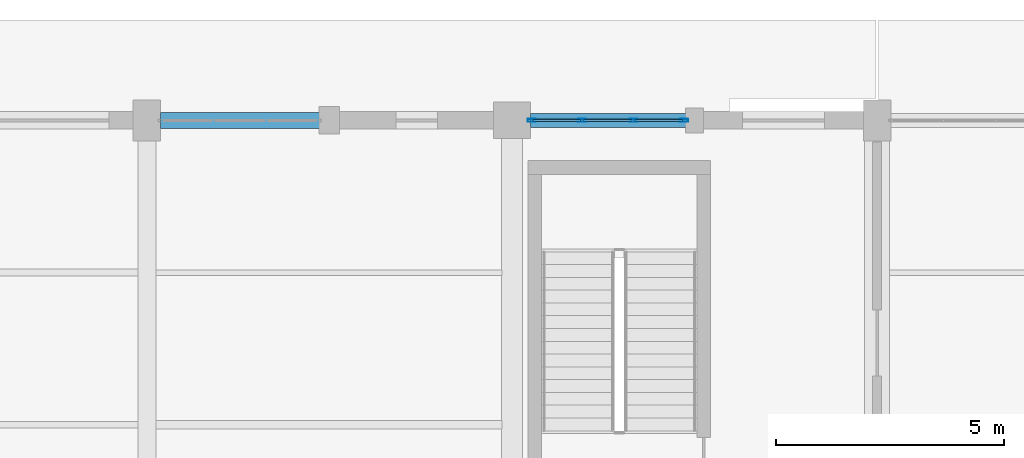
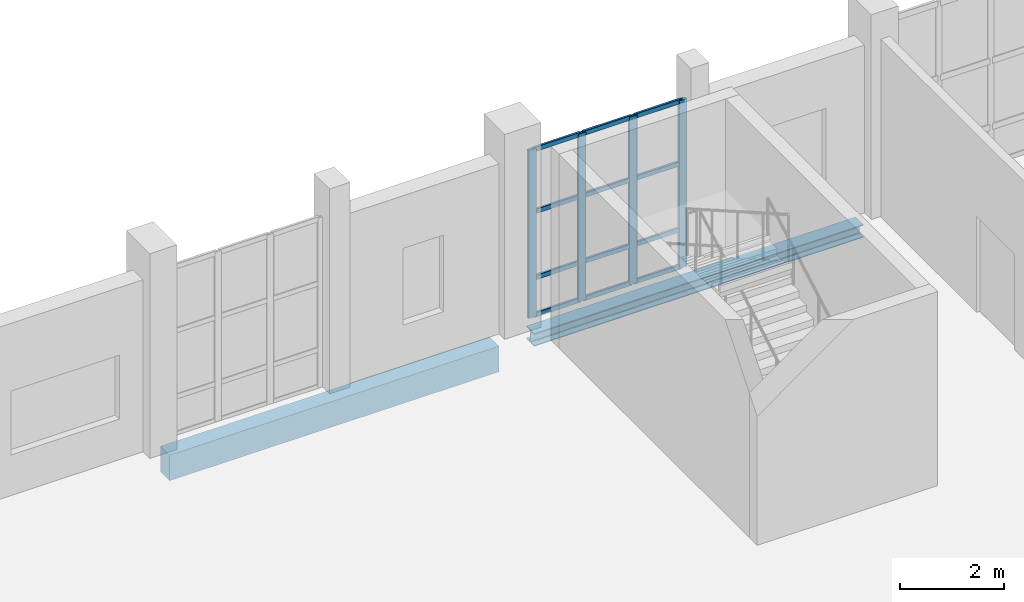
# One storey, part 57 of 156: 16 members, 2 beams, 1 element without a shape of its own.
"""IFC4 building model written with IfcOpenShell, lengths in metres."""

from ifc_helpers import new_model, si_unit, direction, frame, origin, origin_2d, place, context, subcontext, project, spatial, rectangle, hollow_rectangle, i_section, extrude, material, material_profile, profile_set, type_object, element, aggregate, save


model = new_model("IFC4")

# Units and contexts
model_context = context("Model", 3, precision=1e-05, world=origin(), true_north=direction((0.0, 1.0)))
body_context = subcontext(model_context, "Body", "Model", "MODEL_VIEW")
ifc_project = project(units=[si_unit("LENGTHUNIT", "METRE"), si_unit("AREAUNIT", "SQUARE_METRE"), si_unit("VOLUMEUNIT", "CUBIC_METRE"), si_unit("PLANEANGLEUNIT", "RADIAN"), si_unit("MASSUNIT", "GRAM", prefix="KILO")], contexts=[model_context])

# Site, building, storey
site_placement = place(None, origin())
site = spatial("IfcSite", under=ifc_project, at=site_placement, CompositionType="ELEMENT")
building_placement = place(site_placement, origin())
building = spatial("IfcBuilding", under=site, at=building_placement, Name="Luwemba Playhouse", CompositionType="ELEMENT")
storey_placement = place(building_placement, origin())
storey = spatial("IfcBuildingStorey", under=building, at=storey_placement, Name="L00", CompositionType="ELEMENT", Elevation=0.0)

# Beams
ifc_material_1 = material(Name="Concrete C40/50", Category="concrete")
ifc_material_profile_1 = material_profile(ifc_material_1, rectangle(XDim=0.35009765625, YDim=0.60009765625, at=origin_2d()))
ifc_profile_set_1 = profile_set([ifc_material_profile_1], Name="Concrete C40/50")
beam_type_1 = type_object("IfcBeamType", Name="BM-SP3", PredefinedType="SPANDREL", material=ifc_profile_set_1)
beam_1_placement = place(storey_placement, frame((116.300048828125, 115.0, -0.60009765625), z_axis=(1.0, 0.0, 0.0), x_axis=(0.0, 1.0, 0.0)))
element("IfcBeam", 1, at=beam_1_placement, inside=storey, type_object=beam_type_1, Name="L00 grid girder 0314", PredefinedType="SPANDREL", context=body_context, shape_type="SweptSolid", body=[
    extrude(rectangle(XDim=0.35009765625, YDim=0.60009765625, at=origin_2d()), origin(), (0.0, 0.0, 1.0), 7.300048828125),
])
ifc_material_2 = material(Name="Steel S355", Category="steel")
ifc_material_profile_2 = material_profile(ifc_material_2, i_section(OverallWidth=0.300048828125, OverallDepth=0.300048828125, WebThickness=0.010986328125, FlangeThickness=0.01904296875, FilletRadius=0.027099609375, at=origin_2d()))
ifc_profile_set_2 = profile_set([ifc_material_profile_2], Name="Steel S355")
beam_type_2 = type_object("IfcBeamType", Name="BM-SSP1", PredefinedType="SPANDREL", material=ifc_profile_set_2)
beam_2_placement = place(storey_placement, frame((124.39990234375, 115.0, -0.449951171875), z_axis=(1.0, 0.0, 0.0), x_axis=(0.0, 1.0, 0.0)))
element("IfcBeam", 2, at=beam_2_placement, inside=storey, type_object=beam_type_2, Name="L00 grid girder 0315", PredefinedType="SPANDREL", context=body_context, shape_type="SweptSolid", body=[
    extrude(i_section(OverallWidth=0.300048828125, OverallDepth=0.300048828125, WebThickness=0.010986328125, FlangeThickness=0.01904296875, FilletRadius=0.027099609375, at=origin_2d()), origin(), (0.0, 0.0, 1.0), 7.300048828125),
])

# Curtain wall, members
ifc_material_3 = material(Name="Solar-control double glazing", Category="glass")
curtain_wall_type = type_object("IfcCurtainWallType", Name="CW-CW66", PredefinedType="USERDEFINED", material=ifc_material_3)
curtain_wall_placement = place(storey_placement, origin())
curtain_wall = element("IfcCurtainWall", 3, at=curtain_wall_placement, inside=storey, type_object=curtain_wall_type, Name="L00 V6E unitised curtain wall 084", ObjectType="UNITISED GLAZING", PredefinedType="USERDEFINED")
ifc_material_4 = material(Name="Aluminium 6063-T6", Category="aluminium")
ifc_material_profile_3 = material_profile(ifc_material_4, hollow_rectangle(XDim=0.06494140625, YDim=0.179931640625, WallThickness=0.00439453125, InnerFilletRadius=0.0068359375, OuterFilletRadius=0.01123046875, at=origin_2d()))
ifc_profile_set_3 = profile_set([ifc_material_profile_3], Name="Aluminium 6063-T6")
member_type_1 = type_object("IfcMemberType", Name="CWM-M2", PredefinedType="MULLION", material=ifc_profile_set_3)
member_1_placement = place(storey_placement, frame((124.4326171875, 115.0, 0.0), z_axis=(0.0, 0.0, 1.0), x_axis=(0.0, 1.0, 0.0)))
member_1 = element("IfcMember", 4, at=member_1_placement, type_object=member_type_1, Name="CW66 mullion 1", PredefinedType="MULLION", context=body_context, shape_type="SweptSolid", body=[
    extrude(hollow_rectangle(XDim=0.06494140625, YDim=0.179931640625, WallThickness=0.00439453125, InnerFilletRadius=0.0068359375, OuterFilletRadius=0.01123046875, at=origin_2d()), origin(), (0.0, 0.0, 1.0), 3.93505859375),
])
member_2_placement = place(storey_placement, frame((125.533447265625, 115.0, 0.0), z_axis=(0.0, 0.0, 1.0), x_axis=(0.0, 1.0, 0.0)))
member_2 = element("IfcMember", 5, at=member_2_placement, type_object=member_type_1, Name="CW66 mullion 2", PredefinedType="MULLION", context=body_context, shape_type="SweptSolid", body=[
    extrude(hollow_rectangle(XDim=0.06494140625, YDim=0.179931640625, WallThickness=0.00439453125, InnerFilletRadius=0.0068359375, OuterFilletRadius=0.01123046875, at=origin_2d()), origin(), (0.0, 0.0, 1.0), 3.93505859375),
])
member_3_placement = place(storey_placement, frame((126.666748046875, 115.0, 0.0), z_axis=(0.0, 0.0, 1.0), x_axis=(0.0, 1.0, 0.0)))
member_3 = element("IfcMember", 6, at=member_3_placement, type_object=member_type_1, Name="CW66 mullion 3", PredefinedType="MULLION", context=body_context, shape_type="SweptSolid", body=[
    extrude(hollow_rectangle(XDim=0.06494140625, YDim=0.179931640625, WallThickness=0.00439453125, InnerFilletRadius=0.0068359375, OuterFilletRadius=0.01123046875, at=origin_2d()), origin(), (0.0, 0.0, 1.0), 3.93505859375),
])
member_4_placement = place(storey_placement, frame((127.767578125, 115.0, 0.0), z_axis=(0.0, 0.0, 1.0), x_axis=(0.0, 1.0, 0.0)))
member_4 = element("IfcMember", 7, at=member_4_placement, type_object=member_type_1, Name="CW66 mullion 4", PredefinedType="MULLION", context=body_context, shape_type="SweptSolid", body=[
    extrude(hollow_rectangle(XDim=0.06494140625, YDim=0.179931640625, WallThickness=0.00439453125, InnerFilletRadius=0.0068359375, OuterFilletRadius=0.01123046875, at=origin_2d()), origin(), (0.0, 0.0, 1.0), 3.93505859375),
])
ifc_material_profile_4 = material_profile(ifc_material_4, hollow_rectangle(XDim=0.054931640625, YDim=0.110107421875, WallThickness=0.00341796875, InnerFilletRadius=0.00537109375, OuterFilletRadius=0.0087890625, at=origin_2d()))
ifc_profile_set_4 = profile_set([ifc_material_profile_4], Name="Aluminium 6063-T6")
member_type_2 = type_object("IfcMemberType", Name="CWT-T2", PredefinedType="USERDEFINED", material=ifc_profile_set_4)
member_5_placement = place(storey_placement, frame((124.465087890625, 115.0, 0.027587890625), z_axis=(1.0, 0.0, 0.0), x_axis=(0.0, 1.0, 0.0)))
member_5 = element("IfcMember", 8, at=member_5_placement, type_object=member_type_2, Name="CW66 transom 1.1", ObjectType="TRANSOM", PredefinedType="USERDEFINED", context=body_context, shape_type="SweptSolid", body=[
    extrude(hollow_rectangle(XDim=0.054931640625, YDim=0.110107421875, WallThickness=0.00341796875, InnerFilletRadius=0.00537109375, OuterFilletRadius=0.0087890625, at=origin_2d()), origin(), (0.0, 0.0, 1.0), 1.03564453125),
])
member_6_placement = place(storey_placement, frame((124.465087890625, 115.0, 0.89990234375), z_axis=(1.0, 0.0, 0.0), x_axis=(0.0, 1.0, 0.0)))
member_6 = element("IfcMember", 9, at=member_6_placement, type_object=member_type_2, Name="CW66 transom 1.2", ObjectType="TRANSOM", PredefinedType="USERDEFINED", context=body_context, shape_type="SweptSolid", body=[
    extrude(hollow_rectangle(XDim=0.054931640625, YDim=0.110107421875, WallThickness=0.00341796875, InnerFilletRadius=0.00537109375, OuterFilletRadius=0.0087890625, at=origin_2d()), origin(), (0.0, 0.0, 1.0), 1.03564453125),
])
member_7_placement = place(storey_placement, frame((124.465087890625, 115.0, 2.449951171875), z_axis=(1.0, 0.0, 0.0), x_axis=(0.0, 1.0, 0.0)))
member_7 = element("IfcMember", 10, at=member_7_placement, type_object=member_type_2, Name="CW66 transom 1.3", ObjectType="TRANSOM", PredefinedType="USERDEFINED", context=body_context, shape_type="SweptSolid", body=[
    extrude(hollow_rectangle(XDim=0.054931640625, YDim=0.110107421875, WallThickness=0.00341796875, InnerFilletRadius=0.00537109375, OuterFilletRadius=0.0087890625, at=origin_2d()), origin(), (0.0, 0.0, 1.0), 1.03564453125),
])
member_8_placement = place(storey_placement, frame((124.465087890625, 115.0, 3.907470703125), z_axis=(1.0, 0.0, 0.0), x_axis=(0.0, 1.0, 0.0)))
member_8 = element("IfcMember", 11, at=member_8_placement, type_object=member_type_2, Name="CW66 transom 1.4", ObjectType="TRANSOM", PredefinedType="USERDEFINED", context=body_context, shape_type="SweptSolid", body=[
    extrude(hollow_rectangle(XDim=0.054931640625, YDim=0.110107421875, WallThickness=0.00341796875, InnerFilletRadius=0.00537109375, OuterFilletRadius=0.0087890625, at=origin_2d()), origin(), (0.0, 0.0, 1.0), 1.03564453125),
])
member_9_placement = place(storey_placement, frame((125.56591796875, 115.0, 0.027587890625), z_axis=(1.0, 0.0, 0.0), x_axis=(0.0, 1.0, 0.0)))
member_9 = element("IfcMember", 12, at=member_9_placement, type_object=member_type_2, Name="CW66 transom 2.1", ObjectType="TRANSOM", PredefinedType="USERDEFINED", context=body_context, shape_type="SweptSolid", body=[
    extrude(hollow_rectangle(XDim=0.054931640625, YDim=0.110107421875, WallThickness=0.00341796875, InnerFilletRadius=0.00537109375, OuterFilletRadius=0.0087890625, at=origin_2d()), origin(), (0.0, 0.0, 1.0), 1.068359375),
])
member_10_placement = place(storey_placement, frame((125.56591796875, 115.0, 0.89990234375), z_axis=(1.0, 0.0, 0.0), x_axis=(0.0, 1.0, 0.0)))
member_10 = element("IfcMember", 13, at=member_10_placement, type_object=member_type_2, Name="CW66 transom 2.2", ObjectType="TRANSOM", PredefinedType="USERDEFINED", context=body_context, shape_type="SweptSolid", body=[
    extrude(hollow_rectangle(XDim=0.054931640625, YDim=0.110107421875, WallThickness=0.00341796875, InnerFilletRadius=0.00537109375, OuterFilletRadius=0.0087890625, at=origin_2d()), origin(), (0.0, 0.0, 1.0), 1.068359375),
])
member_11_placement = place(storey_placement, frame((125.56591796875, 115.0, 2.449951171875), z_axis=(1.0, 0.0, 0.0), x_axis=(0.0, 1.0, 0.0)))
member_11 = element("IfcMember", 14, at=member_11_placement, type_object=member_type_2, Name="CW66 transom 2.3", ObjectType="TRANSOM", PredefinedType="USERDEFINED", context=body_context, shape_type="SweptSolid", body=[
    extrude(hollow_rectangle(XDim=0.054931640625, YDim=0.110107421875, WallThickness=0.00341796875, InnerFilletRadius=0.00537109375, OuterFilletRadius=0.0087890625, at=origin_2d()), origin(), (0.0, 0.0, 1.0), 1.068359375),
])
member_12_placement = place(storey_placement, frame((125.56591796875, 115.0, 3.907470703125), z_axis=(1.0, 0.0, 0.0), x_axis=(0.0, 1.0, 0.0)))
member_12 = element("IfcMember", 15, at=member_12_placement, type_object=member_type_2, Name="CW66 transom 2.4", ObjectType="TRANSOM", PredefinedType="USERDEFINED", context=body_context, shape_type="SweptSolid", body=[
    extrude(hollow_rectangle(XDim=0.054931640625, YDim=0.110107421875, WallThickness=0.00341796875, InnerFilletRadius=0.00537109375, OuterFilletRadius=0.0087890625, at=origin_2d()), origin(), (0.0, 0.0, 1.0), 1.068359375),
])
member_13_placement = place(storey_placement, frame((126.69921875, 115.0, 0.027587890625), z_axis=(1.0, 0.0, 0.0), x_axis=(0.0, 1.0, 0.0)))
member_13 = element("IfcMember", 16, at=member_13_placement, type_object=member_type_2, Name="CW66 transom 3.1", ObjectType="TRANSOM", PredefinedType="USERDEFINED", context=body_context, shape_type="SweptSolid", body=[
    extrude(hollow_rectangle(XDim=0.054931640625, YDim=0.110107421875, WallThickness=0.00341796875, InnerFilletRadius=0.00537109375, OuterFilletRadius=0.0087890625, at=origin_2d()), origin(), (0.0, 0.0, 1.0), 1.035888671875),
])
member_14_placement = place(storey_placement, frame((126.69921875, 115.0, 0.89990234375), z_axis=(1.0, 0.0, 0.0), x_axis=(0.0, 1.0, 0.0)))
member_14 = element("IfcMember", 17, at=member_14_placement, type_object=member_type_2, Name="CW66 transom 3.2", ObjectType="TRANSOM", PredefinedType="USERDEFINED", context=body_context, shape_type="SweptSolid", body=[
    extrude(hollow_rectangle(XDim=0.054931640625, YDim=0.110107421875, WallThickness=0.00341796875, InnerFilletRadius=0.00537109375, OuterFilletRadius=0.0087890625, at=origin_2d()), origin(), (0.0, 0.0, 1.0), 1.035888671875),
])
member_15_placement = place(storey_placement, frame((126.69921875, 115.0, 2.449951171875), z_axis=(1.0, 0.0, 0.0), x_axis=(0.0, 1.0, 0.0)))
member_15 = element("IfcMember", 18, at=member_15_placement, type_object=member_type_2, Name="CW66 transom 3.3", ObjectType="TRANSOM", PredefinedType="USERDEFINED", context=body_context, shape_type="SweptSolid", body=[
    extrude(hollow_rectangle(XDim=0.054931640625, YDim=0.110107421875, WallThickness=0.00341796875, InnerFilletRadius=0.00537109375, OuterFilletRadius=0.0087890625, at=origin_2d()), origin(), (0.0, 0.0, 1.0), 1.035888671875),
])
member_16_placement = place(storey_placement, frame((126.69921875, 115.0, 3.907470703125), z_axis=(1.0, 0.0, 0.0), x_axis=(0.0, 1.0, 0.0)))
member_16 = element("IfcMember", 19, at=member_16_placement, type_object=member_type_2, Name="CW66 transom 3.4", ObjectType="TRANSOM", PredefinedType="USERDEFINED", context=body_context, shape_type="SweptSolid", body=[
    extrude(hollow_rectangle(XDim=0.054931640625, YDim=0.110107421875, WallThickness=0.00341796875, InnerFilletRadius=0.00537109375, OuterFilletRadius=0.0087890625, at=origin_2d()), origin(), (0.0, 0.0, 1.0), 1.035888671875),
])
aggregate(curtain_wall, [member_1, member_2, member_3, member_4, member_5, member_6, member_7, member_8, member_9, member_10, member_11, member_12, member_13, member_14, member_15, member_16])

save(model, "model.ifc")
